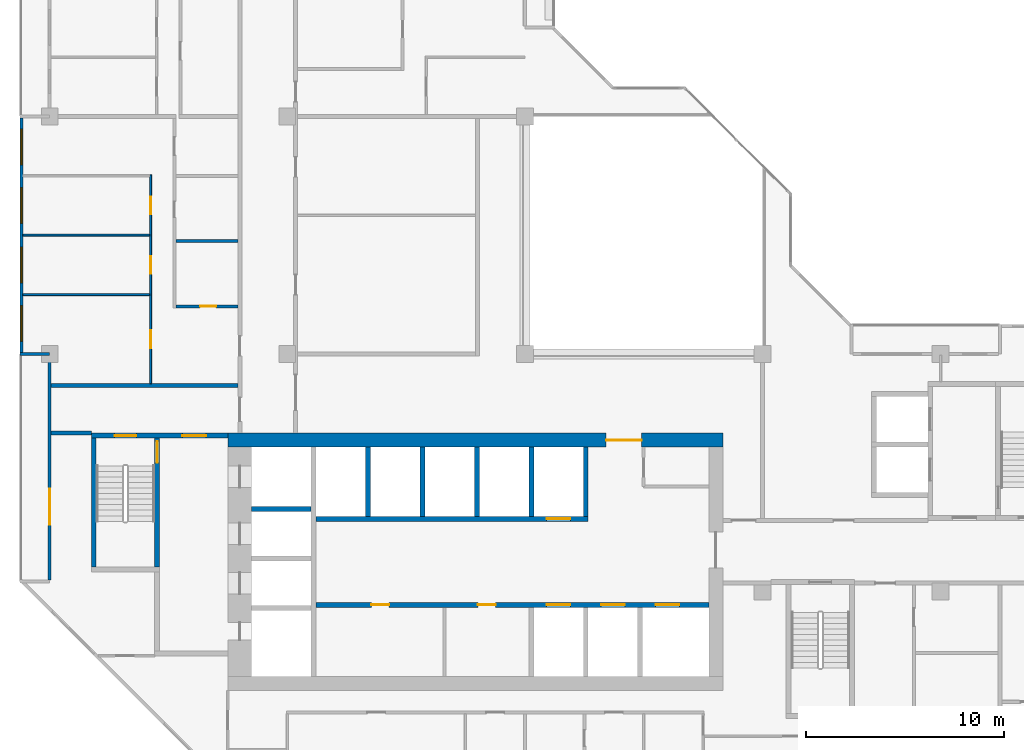
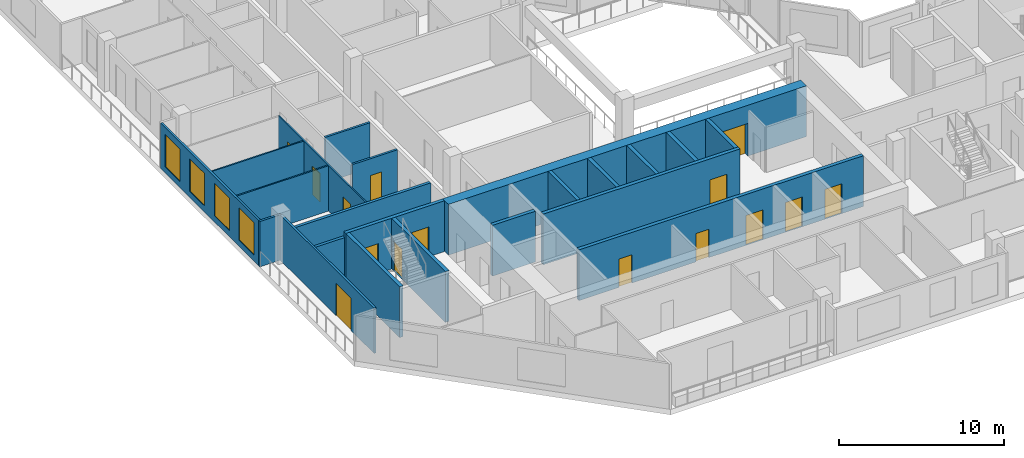
# One storey, part 5 of 15: 22 walls, 15 doors, 4 windows, 19 openings.
"""IFC4 building model written with IfcOpenShell, lengths in metres."""

from ifc_helpers import new_model, si_unit, direction, frame, frame_2d, origin, place, context, subcontext, project, spatial, rectangle, extrude, material, layer, layer_set, type_object, element, fill, save


model = new_model("IFC4")

# Units and contexts
model_context = context("Model", 3, precision=1e-05, world=origin(), true_north=direction((0.0, 1.0)))
body_context = subcontext(model_context, "Body", "Model", "MODEL_VIEW")
ifc_project = project(units=[si_unit("LENGTHUNIT", "METRE"), si_unit("AREAUNIT", "SQUARE_METRE"), si_unit("VOLUMEUNIT", "CUBIC_METRE"), si_unit("PLANEANGLEUNIT", "RADIAN"), si_unit("MASSUNIT", "GRAM", prefix="KILO")], contexts=[model_context])

# Site, building, storey
site_placement = place(None, origin())
site = spatial("IfcSite", under=ifc_project, at=site_placement, CompositionType="ELEMENT")
building_placement = place(site_placement, origin())
building = spatial("IfcBuilding", under=site, at=building_placement, Name="Chenar Terraces", CompositionType="ELEMENT")
storey_placement = place(building_placement, frame((0.0, 0.0, 249.14990234375)))
storey = spatial("IfcBuildingStorey", under=building, at=storey_placement, Name="L59", CompositionType="ELEMENT", Elevation=249.14990234375)

# Wall, openings, doors
ifc_material_1 = material(Name="Concrete C60/75", Category="concrete")
ifc_layer_1 = layer(ifc_material_1, 0.25)
ifc_layer_set_1 = layer_set([ifc_layer_1], Name="Concrete C60/75")
wall_type_1 = type_object("IfcWallType", Name="Core wall 250 Concrete C60/75", PredefinedType="SHEAR", material=ifc_layer_set_1)
wall_1_placement = place(storey_placement, frame((13.449951171875, 11.324951171875, 0.0), z_axis=(0.0, 0.0, 1.0), x_axis=(1.0, 0.0, 0.0)))
wall_1 = element("IfcWall", 1, at=wall_1_placement, inside=storey, type_object=wall_type_1, Name="Core wall SF L59", PredefinedType="SHEAR", context=body_context, shape_type="SweptSolid", body=[
    extrude(rectangle(XDim=19.85009765625, YDim=0.25, at=frame_2d((9.925048828125, 0.0))), origin(), (0.0, 0.0, 1.0), 3.75),
])
opening_1_placement = place(wall_1_placement, frame((11.64990234375, 0.0, 0.0)))
opening_1 = element("IfcOpeningElement", 2, at=opening_1_placement, cuts=wall_1, Name="Opening DL59-LD1", PredefinedType="OPENING", context=body_context, shape_type="SweptSolid", body=[
    extrude(rectangle(XDim=1.199951171875, YDim=2.199951171875, at=frame_2d((0.60009765625, 1.10009765625))), frame((0.0, 0.135009765625, 0.0), z_axis=(0.0, -1.0, 0.0), x_axis=(1.0, 0.0, 0.0)), (0.0, 0.0, 1.0), 0.27001953125),
])
opening_2_placement = place(wall_1_placement, frame((14.39990234375, 0.0, 0.0)))
opening_2 = element("IfcOpeningElement", 3, at=opening_2_placement, cuts=wall_1, Name="Opening DL59-LD2", PredefinedType="OPENING", context=body_context, shape_type="SweptSolid", body=[
    extrude(rectangle(XDim=1.199951171875, YDim=2.199951171875, at=frame_2d((0.60009765625, 1.10009765625))), frame((0.0, 0.135009765625, 0.0), z_axis=(0.0, -1.0, 0.0), x_axis=(1.0, 0.0, 0.0)), (0.0, 0.0, 1.0), 0.27001953125),
])
opening_3_placement = place(wall_1_placement, frame((17.14990234375, 0.0, 0.0)))
opening_3 = element("IfcOpeningElement", 4, at=opening_3_placement, cuts=wall_1, Name="Opening DL59-LD3", PredefinedType="OPENING", context=body_context, shape_type="SweptSolid", body=[
    extrude(rectangle(XDim=1.199951171875, YDim=2.199951171875, at=frame_2d((0.60009765625, 1.10009765625))), frame((0.0, 0.135009765625, 0.0), z_axis=(0.0, -1.0, 0.0), x_axis=(1.0, 0.0, 0.0)), (0.0, 0.0, 1.0), 0.27001953125),
])
opening_4_placement = place(wall_1_placement, frame((2.800048828125, 0.0, 0.0)))
opening_4 = element("IfcOpeningElement", 5, at=opening_4_placement, cuts=wall_1, Name="Opening DL59-C12", PredefinedType="OPENING", context=body_context, shape_type="SweptSolid", body=[
    extrude(rectangle(XDim=0.89990234375, YDim=2.10009765625, at=frame_2d((0.449951171875, 1.050048828125))), frame((0.0, 0.135009765625, 0.0), z_axis=(0.0, -1.0, 0.0), x_axis=(1.0, 0.0, 0.0)), (0.0, 0.0, 1.0), 0.27001953125),
])
opening_5_placement = place(wall_1_placement, frame((8.175048828125, 0.0, 0.0)))
opening_5 = element("IfcOpeningElement", 6, at=opening_5_placement, cuts=wall_1, Name="Opening DL59-C13", PredefinedType="OPENING", context=body_context, shape_type="SweptSolid", body=[
    extrude(rectangle(XDim=0.89990234375, YDim=2.10009765625, at=frame_2d((0.449951171875, 1.050048828125))), frame((0.0, 0.135009765625, 0.0), z_axis=(0.0, -1.0, 0.0), x_axis=(1.0, 0.0, 0.0)), (0.0, 0.0, 1.0), 0.27001953125),
])
ifc_material_2 = material(Name="Stainless steel", Category="steel")
door_type_1 = type_object("IfcDoorType", Name="Lift landing door 1200 x 2200 sliding", OperationType="DOUBLE_DOOR_SLIDING", PredefinedType="DOOR", material=ifc_material_2)
door_1_placement = place(opening_1_placement, origin())
door_1 = element("IfcDoor", 7, at=door_1_placement, inside=storey, type_object=door_type_1, Name="Landing door M1", OperationType="DOUBLE_DOOR_SLIDING", OverallHeight=2.199951171875, OverallWidth=1.199951171875, PredefinedType="DOOR", context=body_context, shape_type="SweptSolid", body=[
    extrude(rectangle(XDim=1.199951171875, YDim=2.199951171875, at=frame_2d((0.60009765625, 1.10009765625))), frame((0.0, 0.02490234375, 0.0), z_axis=(0.0, -1.0, 0.0), x_axis=(1.0, 0.0, 0.0)), (0.0, 0.0, 1.0), 0.050048828125),
])
fill(opening_1, door_1)
door_2_placement = place(opening_2_placement, origin())
door_2 = element("IfcDoor", 8, at=door_2_placement, inside=storey, type_object=door_type_1, Name="Landing door M2", OperationType="DOUBLE_DOOR_SLIDING", OverallHeight=2.199951171875, OverallWidth=1.199951171875, PredefinedType="DOOR", context=body_context, shape_type="SweptSolid", body=[
    extrude(rectangle(XDim=1.199951171875, YDim=2.199951171875, at=frame_2d((0.60009765625, 1.10009765625))), frame((0.0, 0.02490234375, 0.0), z_axis=(0.0, -1.0, 0.0), x_axis=(1.0, 0.0, 0.0)), (0.0, 0.0, 1.0), 0.050048828125),
])
fill(opening_2, door_2)
door_3_placement = place(opening_3_placement, origin())
door_3 = element("IfcDoor", 9, at=door_3_placement, inside=storey, type_object=door_type_1, Name="Landing door M3", OperationType="DOUBLE_DOOR_SLIDING", OverallHeight=2.199951171875, OverallWidth=1.199951171875, PredefinedType="DOOR", context=body_context, shape_type="SweptSolid", body=[
    extrude(rectangle(XDim=1.199951171875, YDim=2.199951171875, at=frame_2d((0.60009765625, 1.10009765625))), frame((0.0, 0.02490234375, 0.0), z_axis=(0.0, -1.0, 0.0), x_axis=(1.0, 0.0, 0.0)), (0.0, 0.0, 1.0), 0.050048828125),
])
fill(opening_3, door_3)
ifc_material_3 = material(Name="Steel-framed fire-resisting door leaf", Category="steel")
door_type_2 = type_object("IfcDoorType", Name="Riser fire door FD60 900 x 2100", OperationType="SINGLE_SWING_LEFT", PredefinedType="DOOR", material=ifc_material_3)
door_4_placement = place(opening_4_placement, frame((0.89990234375, 0.0, 0.0), z_axis=(0.0, 0.0, 1.0), x_axis=(-1.0, 0.0, 0.0)))
door_4 = element("IfcDoor", 10, at=door_4_placement, inside=storey, type_object=door_type_2, Name="Core room door DL59-C12", OperationType="SINGLE_SWING_LEFT", OverallHeight=2.10009765625, OverallWidth=0.89990234375, PredefinedType="DOOR", context=body_context, shape_type="SweptSolid", body=[
    extrude(rectangle(XDim=0.89990234375, YDim=2.10009765625, at=frame_2d((0.449951171875, 1.050048828125))), frame((0.0, 0.02490234375, 0.0), z_axis=(0.0, -1.0, 0.0), x_axis=(1.0, 0.0, 0.0)), (0.0, 0.0, 1.0), 0.050048828125),
])
fill(opening_4, door_4)
door_5_placement = place(opening_5_placement, frame((0.89990234375, 0.0, 0.0), z_axis=(0.0, 0.0, 1.0), x_axis=(-1.0, 0.0, 0.0)))
door_5 = element("IfcDoor", 11, at=door_5_placement, inside=storey, type_object=door_type_2, Name="Core room door DL59-C13", OperationType="SINGLE_SWING_LEFT", OverallHeight=2.10009765625, OverallWidth=0.89990234375, PredefinedType="DOOR", context=body_context, shape_type="SweptSolid", body=[
    extrude(rectangle(XDim=0.89990234375, YDim=2.10009765625, at=frame_2d((0.449951171875, 1.050048828125))), frame((0.0, 0.02490234375, 0.0), z_axis=(0.0, -1.0, 0.0), x_axis=(1.0, 0.0, 0.0)), (0.0, 0.0, 1.0), 0.050048828125),
])
fill(opening_5, door_5)

# Wall, opening, door
wall_2_placement = place(storey_placement, frame((13.449951171875, 15.675048828125, 0.0), z_axis=(0.0, 0.0, 1.0), x_axis=(1.0, 0.0, 0.0)))
wall_2 = element("IfcWall", 12, at=wall_2_placement, inside=storey, type_object=wall_type_1, Name="Core wall NF L59", PredefinedType="SHEAR", context=body_context, shape_type="SweptSolid", body=[
    extrude(rectangle(XDim=13.75, YDim=0.25, at=frame_2d((6.875, 0.0))), origin(), (0.0, 0.0, 1.0), 3.75),
])
opening_6_placement = place(wall_2_placement, frame((11.64990234375, 0.0, 0.0)))
opening_6 = element("IfcOpeningElement", 13, at=opening_6_placement, cuts=wall_2, Name="Opening DL59-LD4", PredefinedType="OPENING", context=body_context, shape_type="SweptSolid", body=[
    extrude(rectangle(XDim=1.199951171875, YDim=2.199951171875, at=frame_2d((0.60009765625, 1.10009765625))), frame((0.0, 0.135009765625, 0.0), z_axis=(0.0, -1.0, 0.0), x_axis=(1.0, 0.0, 0.0)), (0.0, 0.0, 1.0), 0.27001953125),
])
door_6_placement = place(opening_6_placement, origin())
door_6 = element("IfcDoor", 14, at=door_6_placement, inside=storey, type_object=door_type_1, Name="Landing door M4", OperationType="DOUBLE_DOOR_SLIDING", OverallHeight=2.199951171875, OverallWidth=1.199951171875, PredefinedType="DOOR", context=body_context, shape_type="SweptSolid", body=[
    extrude(rectangle(XDim=1.199951171875, YDim=2.199951171875, at=frame_2d((0.60009765625, 1.10009765625))), frame((0.0, 0.02490234375, 0.0), z_axis=(0.0, -1.0, 0.0), x_axis=(1.0, 0.0, 0.0)), (0.0, 0.0, 1.0), 0.050048828125),
])
fill(opening_6, door_6)

# Walls
wall_3_placement = place(storey_placement, frame((10.199951171875, 16.175048828125, 0.0), z_axis=(0.0, 0.0, 1.0), x_axis=(1.0, 0.0, 0.0)))
element("IfcWall", 15, at=wall_3_placement, inside=storey, type_object=wall_type_1, Name="Core wall HW2 L59", PredefinedType="SHEAR", context=body_context, shape_type="SweptSolid", body=[
    extrude(rectangle(XDim=3.0, YDim=0.25, at=frame_2d((1.5, 0.0))), origin(), (0.0, 0.0, 1.0), 3.75),
])
for number, where, z_axis, x_axis, name in (
    (16, (16.074951171875, 15.800048828125, 0.0), (0.0, 0.0, 1.0), (0.0, 1.0, 0.0), "Core wall NS0 L59"),
    (17, (18.824951171875, 15.800048828125, 0.0), (0.0, 0.0, 1.0), (0.0, 1.0, 0.0), "Core wall NS1 L59"),
    (18, (21.574951171875, 15.800048828125, 0.0), (0.0, 0.0, 1.0), (0.0, 1.0, 0.0), "Core wall NS2 L59"),
    (19, (24.324951171875, 15.800048828125, 0.0), (0.0, 0.0, 1.0), (0.0, 1.0, 0.0), "Core wall NS3 L59"),
    (20, (27.074951171875, 15.800048828125, 0.0), (0.0, 0.0, 1.0), (0.0, 1.0, 0.0), "Core wall NE L59"),
):
    element("IfcWall", number, at=place(storey_placement, frame(where, z_axis=z_axis, x_axis=x_axis)), inside=storey, type_object=wall_type_1, Name=name, PredefinedType="SHEAR", context=body_context, shape_type="SweptSolid", body=[
        extrude(rectangle(XDim=3.5, YDim=0.25, at=frame_2d((1.75, 0.0))), origin(), (0.0, 0.0, 1.0), 3.75),
    ])

# Wall, openings, doors
wall_4_placement = place(storey_placement, frame((2.10009765625, 19.875, 0.0), z_axis=(0.0, 0.0, 1.0), x_axis=(1.0, 0.0, 0.0)))
wall_4 = element("IfcWall", 21, at=wall_4_placement, inside=storey, type_object=wall_type_1, Name="Core wall A_N L59", PredefinedType="SHEAR", context=body_context, shape_type="SweptSolid", body=[
    extrude(rectangle(XDim=6.89990234375, YDim=0.25, at=frame_2d((3.449951171875, 0.0))), origin(), (0.0, 0.0, 1.0), 3.75),
])
opening_7_placement = place(wall_4_placement, frame((1.175048828125, 0.0, 0.0)))
opening_7 = element("IfcOpeningElement", 22, at=opening_7_placement, cuts=wall_4, Name="Opening DL59-C5", PredefinedType="OPENING", context=body_context, shape_type="SweptSolid", body=[
    extrude(rectangle(XDim=1.10009765625, YDim=2.199951171875, at=frame_2d((0.550048828125, 1.10009765625))), frame((0.0, 0.135009765625, 0.0), z_axis=(0.0, -1.0, 0.0), x_axis=(1.0, 0.0, 0.0)), (0.0, 0.0, 1.0), 0.27001953125),
])
opening_8_placement = place(wall_4_placement, frame((4.60009765625, 0.0, 0.0)))
opening_8 = element("IfcOpeningElement", 23, at=opening_8_placement, cuts=wall_4, Name="Opening DL59-C6", PredefinedType="OPENING", context=body_context, shape_type="SweptSolid", body=[
    extrude(rectangle(XDim=1.199951171875, YDim=2.199951171875, at=frame_2d((0.60009765625, 1.10009765625))), frame((0.0, 0.135009765625, 0.0), z_axis=(0.0, -1.0, 0.0), x_axis=(1.0, 0.0, 0.0)), (0.0, 0.0, 1.0), 0.27001953125),
])
ifc_material_4 = material(Name="Steel-framed fire-resisting door leaf", Category="steel")
door_type_3 = type_object("IfcDoorType", Name="Lobby fire door FD60 1200 x 2200", OperationType="SINGLE_SWING_LEFT", PredefinedType="DOOR", material=ifc_material_4)
door_7_placement = place(opening_8_placement, frame((1.199951171875, 0.0, 0.0), z_axis=(0.0, 0.0, 1.0), x_axis=(-1.0, 0.0, 0.0)))
door_7 = element("IfcDoor", 24, at=door_7_placement, inside=storey, type_object=door_type_3, Name="Core door DL59-C6", OperationType="SINGLE_SWING_LEFT", OverallHeight=2.199951171875, OverallWidth=1.199951171875, PredefinedType="DOOR", context=body_context, shape_type="SweptSolid", body=[
    extrude(rectangle(XDim=1.199951171875, YDim=2.199951171875, at=frame_2d((0.60009765625, 1.10009765625))), frame((0.0, 0.02490234375, 0.0), z_axis=(0.0, -1.0, 0.0), x_axis=(1.0, 0.0, 0.0)), (0.0, 0.0, 1.0), 0.050048828125),
])
fill(opening_8, door_7)
ifc_material_5 = material(Name="Steel-framed fire-resisting door leaf", Category="steel")
door_type_4 = type_object("IfcDoorType", Name="Stair fire door FD60 1100 x 2200", OperationType="SINGLE_SWING_LEFT", PredefinedType="DOOR", material=ifc_material_5)
door_8_placement = place(opening_7_placement, origin())
door_8 = element("IfcDoor", 25, at=door_8_placement, inside=storey, type_object=door_type_4, Name="Stair door DL59-C5", OperationType="SINGLE_SWING_LEFT", OverallHeight=2.199951171875, OverallWidth=1.10009765625, PredefinedType="DOOR", context=body_context, shape_type="SweptSolid", body=[
    extrude(rectangle(XDim=1.10009765625, YDim=2.199951171875, at=frame_2d((0.550048828125, 1.10009765625))), frame((0.0, 0.02490234375, 0.0), z_axis=(0.0, -1.0, 0.0), x_axis=(1.0, 0.0, 0.0)), (0.0, 0.0, 1.0), 0.050048828125),
])
fill(opening_7, door_8)

# Wall
wall_5_placement = place(storey_placement, frame((2.22509765625, 13.25, 0.0), z_axis=(0.0, 0.0, 1.0), x_axis=(0.0, 1.0, 0.0)))
element("IfcWall", 26, at=wall_5_placement, inside=storey, type_object=wall_type_1, Name="Core wall ST1_W L59", PredefinedType="SHEAR", context=body_context, shape_type="SweptSolid", body=[
    extrude(rectangle(XDim=6.5, YDim=0.25, at=frame_2d((3.25, 0.0))), origin(), (0.0, 0.0, 1.0), 3.75),
])

# Wall, opening, door
wall_6_placement = place(storey_placement, frame((5.425048828125, 13.25, 0.0), z_axis=(0.0, 0.0, 1.0), x_axis=(0.0, 1.0, 0.0)))
wall_6 = element("IfcWall", 27, at=wall_6_placement, inside=storey, type_object=wall_type_1, Name="Core wall ST1_E L59", PredefinedType="SHEAR", context=body_context, shape_type="SweptSolid", body=[
    extrude(rectangle(XDim=6.5, YDim=0.25, at=frame_2d((3.25, 0.0))), origin(), (0.0, 0.0, 1.0), 3.75),
])
opening_9_placement = place(wall_6_placement, frame((5.25, 0.0, 0.0)))
opening_9 = element("IfcOpeningElement", 28, at=opening_9_placement, cuts=wall_6, Name="Opening DL59-C3", PredefinedType="OPENING", context=body_context, shape_type="SweptSolid", body=[
    extrude(rectangle(XDim=1.10009765625, YDim=2.199951171875, at=frame_2d((0.550048828125, 1.10009765625))), frame((0.0, 0.135009765625, 0.0), z_axis=(0.0, -1.0, 0.0), x_axis=(1.0, 0.0, 0.0)), (0.0, 0.0, 1.0), 0.27001953125),
])
door_9_placement = place(opening_9_placement, origin())
door_9 = element("IfcDoor", 29, at=door_9_placement, inside=storey, type_object=door_type_4, Name="Stair door DL59-C3", OperationType="SINGLE_SWING_RIGHT", OverallHeight=2.199951171875, OverallWidth=1.10009765625, PredefinedType="DOOR", context=body_context, shape_type="SweptSolid", body=[
    extrude(rectangle(XDim=1.10009765625, YDim=2.199951171875, at=frame_2d((0.550048828125, 1.10009765625))), frame((0.0, 0.02490234375, 0.0), z_axis=(0.0, -1.0, 0.0), x_axis=(1.0, 0.0, 0.0)), (0.0, 0.0, 1.0), 0.050048828125),
])
fill(opening_9, door_9)

ifc_material_6 = material(Name="Concrete C60/75", Category="concrete")
ifc_layer_2 = layer(ifc_material_6, 0.699951171875)
ifc_layer_set_2 = layer_set([ifc_layer_2], Name="Concrete C60/75")
wall_type_2 = type_object("IfcWallType", Name="Core wall 700 Concrete C60/75", PredefinedType="SHEAR", material=ifc_layer_set_2)
wall_7_placement = place(storey_placement, frame((9.0, 19.64990234375, 0.0), z_axis=(0.0, 0.0, 1.0), x_axis=(1.0, 0.0, 0.0)))
wall_7 = element("IfcWall", 30, at=wall_7_placement, inside=storey, type_object=wall_type_2, Name="Core wall N L59", PredefinedType="SHEAR", context=body_context, shape_type="SweptSolid", body=[
    extrude(rectangle(XDim=25.0, YDim=0.699951171875, at=frame_2d((12.5, 0.0))), origin(), (0.0, 0.0, 1.0), 3.75),
])
opening_10_placement = place(wall_7_placement, frame((19.10009765625, 0.0, 0.0)))
opening_10 = element("IfcOpeningElement", 31, at=opening_10_placement, cuts=wall_7, Name="Opening DL59-C2", PredefinedType="OPENING", context=body_context, shape_type="SweptSolid", body=[
    extrude(rectangle(XDim=1.800048828125, YDim=2.39990234375, at=frame_2d((0.89990234375, 1.199951171875))), frame((0.0, 0.35986328125, 0.0), z_axis=(0.0, -1.0, 0.0), x_axis=(1.0, 0.0, 0.0)), (0.0, 0.0, 1.0), 0.719970703125),
])
ifc_material_7 = material(Name="Steel-framed fire-resisting door leaf", Category="steel")
door_type_5 = type_object("IfcDoorType", Name="Core entrance double fire door FD60 1800 x 2400", OperationType="DOUBLE_DOOR_SINGLE_SWING", PredefinedType="DOOR", material=ifc_material_7)
door_10_placement = place(opening_10_placement, frame((1.800048828125, 0.0, 0.0), z_axis=(0.0, 0.0, 1.0), x_axis=(-1.0, 0.0, 0.0)))
door_10 = element("IfcDoor", 32, at=door_10_placement, inside=storey, type_object=door_type_5, Name="Core door DL59-C2", OperationType="DOUBLE_DOOR_SINGLE_SWING", OverallHeight=2.39990234375, OverallWidth=1.800048828125, PredefinedType="DOOR", context=body_context, shape_type="SweptSolid", body=[
    extrude(rectangle(XDim=1.800048828125, YDim=2.39990234375, at=frame_2d((0.89990234375, 1.199951171875))), frame((0.0, 0.02490234375, 0.0), z_axis=(0.0, -1.0, 0.0), x_axis=(1.0, 0.0, 0.0)), (0.0, 0.0, 1.0), 0.050048828125),
])
fill(opening_10, door_10)

# Walls
ifc_material_8 = material(Name="Gypsum board on steel studs with fire boards", Category="steel")
ifc_layer_3 = layer(ifc_material_8, 0.199951171875)
ifc_layer_set_3 = layer_set([ifc_layer_3], Name="Gypsum board on steel studs with fire boards")
wall_type_3 = type_object("IfcWallType", Name="Corridor wall 200", PredefinedType="PARTITIONING", material=ifc_layer_set_3)
wall_8_placement = place(storey_placement, frame((0.073974609375, 20.0, 0.0), z_axis=(0.0, 0.0, 1.0), x_axis=(1.0, 0.0, 0.0)))
element("IfcWall", 33, at=wall_8_placement, inside=storey, type_object=wall_type_3, Name="Partition L59-008", PredefinedType="PARTITIONING", context=body_context, shape_type="SweptSolid", body=[
    extrude(rectangle(XDim=2.026123046875, YDim=0.199951171875, at=frame_2d((1.01318359375, 0.0))), origin(), (0.0, 0.0, 1.0), 3.35009765625),
])
wall_9_placement = place(storey_placement, frame((0.073974609375, 22.39990234375, 0.0), z_axis=(0.0, 0.0, 1.0), x_axis=(1.0, 0.0, 0.0)))
element("IfcWall", 34, at=wall_9_placement, inside=storey, type_object=wall_type_3, Name="Partition L59-009", PredefinedType="PARTITIONING", context=body_context, shape_type="SweptSolid", body=[
    extrude(rectangle(XDim=9.426025390625, YDim=0.199951171875, at=frame_2d((4.712890625, 0.0))), origin(), (0.0, 0.0, 1.0), 3.35009765625),
])

# Wall, openings, windows
ifc_material_9 = material(Name="Aluminium framed glazing", Category="aluminium")
ifc_layer_4 = layer(ifc_material_9, 0.14990234375)
ifc_layer_set_4 = layer_set([ifc_layer_4], Name="Aluminium framed glazing")
wall_type_4 = type_object("IfcWallType", Name="Glazed flush facade wall 150", PredefinedType="SOLIDWALL", material=ifc_layer_set_4)
wall_10_placement = place(storey_placement, frame((-1.425048828125, 35.925048828125, 0.0), z_axis=(0.0, 0.0, 1.0), x_axis=(0.0, -1.0, 0.0)))
wall_10 = element("IfcWall", 35, at=wall_10_placement, inside=storey, type_object=wall_type_4, Name="Glazed flush facade wall", PredefinedType="SOLIDWALL", context=body_context, shape_type="SweptSolid", body=[
    extrude(rectangle(XDim=11.85009765625, YDim=0.14990234375, at=frame_2d((5.925048828125, 0.0))), origin(), (0.0, 0.0, 1.0), 3.35009765625),
])
opening_11_placement = place(wall_10_placement, frame((0.5625, 0.0, 0.449951171875)))
opening_11 = element("IfcOpeningElement", 36, at=opening_11_placement, cuts=wall_10, Name="Opening W180x240", PredefinedType="OPENING", context=body_context, shape_type="SweptSolid", body=[
    extrude(rectangle(XDim=1.800048828125, YDim=2.39990234375, at=frame_2d((0.89990234375, 1.199951171875))), frame((0.0, 0.0849609375, 0.0), z_axis=(0.0, -1.0, 0.0), x_axis=(1.0, 0.0, 0.0)), (0.0, 0.0, 1.0), 0.169921875),
])
opening_12_placement = place(wall_10_placement, frame((3.52490234375, 0.0, 0.449951171875)))
opening_12 = element("IfcOpeningElement", 37, at=opening_12_placement, cuts=wall_10, Name="Opening W180x240", PredefinedType="OPENING", context=body_context, shape_type="SweptSolid", body=[
    extrude(rectangle(XDim=1.800048828125, YDim=2.39990234375, at=frame_2d((0.89990234375, 1.199951171875))), frame((0.0, 0.0849609375, 0.0), z_axis=(0.0, -1.0, 0.0), x_axis=(1.0, 0.0, 0.0)), (0.0, 0.0, 1.0), 0.169921875),
])
opening_13_placement = place(wall_10_placement, frame((6.52490234375, 0.0, 0.449951171875)))
opening_13 = element("IfcOpeningElement", 38, at=opening_13_placement, cuts=wall_10, Name="Opening W180x240", PredefinedType="OPENING", context=body_context, shape_type="SweptSolid", body=[
    extrude(rectangle(XDim=1.800048828125, YDim=2.39990234375, at=frame_2d((0.89990234375, 1.199951171875))), frame((0.0, 0.0849609375, 0.0), z_axis=(0.0, -1.0, 0.0), x_axis=(1.0, 0.0, 0.0)), (0.0, 0.0, 1.0), 0.169921875),
])
opening_14_placement = place(wall_10_placement, frame((9.487548828125, 0.0, 0.449951171875)))
opening_14 = element("IfcOpeningElement", 39, at=opening_14_placement, cuts=wall_10, Name="Opening W180x240", PredefinedType="OPENING", context=body_context, shape_type="SweptSolid", body=[
    extrude(rectangle(XDim=1.800048828125, YDim=2.39990234375, at=frame_2d((0.89990234375, 1.199951171875))), frame((0.0, 0.0849609375, 0.0), z_axis=(0.0, -1.0, 0.0), x_axis=(1.0, 0.0, 0.0)), (0.0, 0.0, 1.0), 0.169921875),
])
ifc_material_10 = material(Name="Low emissivity double glazing, aluminium frame", Category="aluminium")
window_type = type_object("IfcWindowType", Name="Fixed light 1800 x 2400", PartitioningType="SINGLE_PANEL", PredefinedType="WINDOW", material=ifc_material_10)
window_1_placement = place(opening_11_placement, origin())
window_1 = element("IfcWindow", 40, at=window_1_placement, inside=storey, type_object=window_type, Name="Window", OverallHeight=2.39990234375, OverallWidth=1.800048828125, PartitioningType="SINGLE_PANEL", PredefinedType="WINDOW", context=body_context, shape_type="SweptSolid", body=[
    extrude(rectangle(XDim=1.800048828125, YDim=2.39990234375, at=frame_2d((0.89990234375, 1.199951171875))), frame((0.0, 0.030029296875, 0.0), z_axis=(0.0, -1.0, 0.0), x_axis=(1.0, 0.0, 0.0)), (0.0, 0.0, 1.0), 0.06005859375),
])
fill(opening_11, window_1)
window_2_placement = place(opening_12_placement, origin())
window_2 = element("IfcWindow", 41, at=window_2_placement, inside=storey, type_object=window_type, Name="Window", OverallHeight=2.39990234375, OverallWidth=1.800048828125, PartitioningType="SINGLE_PANEL", PredefinedType="WINDOW", context=body_context, shape_type="SweptSolid", body=[
    extrude(rectangle(XDim=1.800048828125, YDim=2.39990234375, at=frame_2d((0.89990234375, 1.199951171875))), frame((0.0, 0.030029296875, 0.0), z_axis=(0.0, -1.0, 0.0), x_axis=(1.0, 0.0, 0.0)), (0.0, 0.0, 1.0), 0.06005859375),
])
fill(opening_12, window_2)
window_3_placement = place(opening_13_placement, origin())
window_3 = element("IfcWindow", 42, at=window_3_placement, inside=storey, type_object=window_type, Name="Window", OverallHeight=2.39990234375, OverallWidth=1.800048828125, PartitioningType="SINGLE_PANEL", PredefinedType="WINDOW", context=body_context, shape_type="SweptSolid", body=[
    extrude(rectangle(XDim=1.800048828125, YDim=2.39990234375, at=frame_2d((0.89990234375, 1.199951171875))), frame((0.0, 0.030029296875, 0.0), z_axis=(0.0, -1.0, 0.0), x_axis=(1.0, 0.0, 0.0)), (0.0, 0.0, 1.0), 0.06005859375),
])
fill(opening_13, window_3)
window_4_placement = place(opening_14_placement, origin())
window_4 = element("IfcWindow", 43, at=window_4_placement, inside=storey, type_object=window_type, Name="Window", OverallHeight=2.39990234375, OverallWidth=1.800048828125, PartitioningType="SINGLE_PANEL", PredefinedType="WINDOW", context=body_context, shape_type="SweptSolid", body=[
    extrude(rectangle(XDim=1.800048828125, YDim=2.39990234375, at=frame_2d((0.89990234375, 1.199951171875))), frame((0.0, 0.030029296875, 0.0), z_axis=(0.0, -1.0, 0.0), x_axis=(1.0, 0.0, 0.0)), (0.0, 0.0, 1.0), 0.06005859375),
])
fill(opening_14, window_4)

# Wall, opening, door
ifc_material_11 = material(Name="Aluminium framed glazing", Category="aluminium")
ifc_layer_5 = layer(ifc_material_11, 0.14990234375)
ifc_layer_set_5 = layer_set([ifc_layer_5], Name="Aluminium framed glazing")
wall_type_5 = type_object("IfcWallType", Name="Glazed loggia back wall 150", PredefinedType="SOLIDWALL", material=ifc_layer_set_5)
wall_11_placement = place(storey_placement, frame((0.0, 23.925048828125, 0.0), z_axis=(0.0, 0.0, 1.0), x_axis=(0.0, -1.0, 0.0)))
wall_11 = element("IfcWall", 44, at=wall_11_placement, inside=storey, type_object=wall_type_5, Name="Glazed loggia back wall", PredefinedType="SOLIDWALL", context=body_context, shape_type="SweptSolid", body=[
    extrude(rectangle(XDim=11.35009765625, YDim=0.14990234375, at=frame_2d((5.675048828125, 0.0))), origin(), (0.0, 0.0, 1.0), 3.35009765625),
])
opening_15_placement = place(wall_11_placement, frame((6.737548828125, 0.0, 0.0)))
opening_15 = element("IfcOpeningElement", 45, at=opening_15_placement, cuts=wall_11, Name="Opening DL59-G4", PredefinedType="OPENING", context=body_context, shape_type="SweptSolid", body=[
    extrude(rectangle(XDim=1.800048828125, YDim=2.39990234375, at=frame_2d((0.89990234375, 1.199951171875))), frame((0.0, 0.0849609375, 0.0), z_axis=(0.0, -1.0, 0.0), x_axis=(1.0, 0.0, 0.0)), (0.0, 0.0, 1.0), 0.169921875),
])
ifc_material_12 = material(Name="Low emissivity double glazing, aluminium frame", Category="aluminium")
door_type_6 = type_object("IfcDoorType", Name="Loggia glazed double door 1800 x 2400", OperationType="DOUBLE_DOOR_SINGLE_SWING", PredefinedType="DOOR", material=ifc_material_12)
door_11_placement = place(opening_15_placement, frame((1.800048828125, 0.0, 0.0), z_axis=(0.0, 0.0, 1.0), x_axis=(-1.0, 0.0, 0.0)))
door_11 = element("IfcDoor", 46, at=door_11_placement, inside=storey, type_object=door_type_6, Name="Loggia glazed door", OperationType="DOUBLE_DOOR_SINGLE_SWING", OverallHeight=2.39990234375, OverallWidth=1.800048828125, PredefinedType="DOOR", context=body_context, shape_type="SweptSolid", body=[
    extrude(rectangle(XDim=1.800048828125, YDim=2.39990234375, at=frame_2d((0.89990234375, 1.199951171875))), frame((0.0, 0.02490234375, 0.0), z_axis=(0.0, -1.0, 0.0), x_axis=(1.0, 0.0, 0.0)), (0.0, 0.0, 1.0), 0.050048828125),
])
fill(opening_15, door_11)

# Walls
ifc_material_13 = material(Name="Gypsum board on steel studs", Category="steel")
ifc_layer_6 = layer(ifc_material_13, 0.10009765625)
ifc_layer_set_6 = layer_set([ifc_layer_6], Name="Gypsum board on steel studs")
wall_type_6 = type_object("IfcWallType", Name="Gypsum partition 100", PredefinedType="PARTITIONING", material=ifc_layer_set_6)
for number, where, z_axis, x_axis, name in (
    (47, (-1.35107421875, 27.0, 0.0), (0.0, 0.0, 1.0), (1.0, 0.0, 0.0), "Partition L59-001"),
    (48, (-1.35107421875, 30.0, 0.0), (0.0, 0.0, 1.0), (1.0, 0.0, 0.0), "Partition L59-002"),
):
    element("IfcWall", number, at=place(storey_placement, frame(where, z_axis=z_axis, x_axis=x_axis)), inside=storey, type_object=wall_type_6, Name=name, PredefinedType="PARTITIONING", context=body_context, shape_type="SweptSolid", body=[
        extrude(rectangle(XDim=6.401123046875, YDim=0.10009765625, at=frame_2d((3.20068359375, 0.0))), origin(), (0.0, 0.0, 1.0), 3.35009765625),
    ])

# Wall, openings, doors
wall_12_placement = place(storey_placement, frame((5.10009765625, 22.5, 0.0), z_axis=(0.0, 0.0, 1.0), x_axis=(0.0, 1.0, 0.0)))
wall_12 = element("IfcWall", 49, at=wall_12_placement, inside=storey, type_object=wall_type_6, Name="Partition L59-014", PredefinedType="PARTITIONING", context=body_context, shape_type="SweptSolid", body=[
    extrude(rectangle(XDim=10.550048828125, YDim=0.10009765625, at=frame_2d((5.27490234375, 0.0))), origin(), (0.0, 0.0, 1.0), 3.35009765625),
])
opening_16_placement = place(wall_12_placement, frame((1.800048828125, 0.0, 0.0)))
opening_16 = element("IfcOpeningElement", 50, at=opening_16_placement, cuts=wall_12, Name="Opening DL59-61", PredefinedType="OPENING", context=body_context, shape_type="SweptSolid", body=[
    extrude(rectangle(XDim=0.89990234375, YDim=2.10009765625, at=frame_2d((0.449951171875, 1.050048828125))), frame((0.0, 0.06005859375, 0.0), z_axis=(0.0, -1.0, 0.0), x_axis=(1.0, 0.0, 0.0)), (0.0, 0.0, 1.0), 0.1201171875),
])
opening_17_placement = place(wall_12_placement, frame((5.550048828125, 0.0, 0.0)))
opening_17 = element("IfcOpeningElement", 51, at=opening_17_placement, cuts=wall_12, Name="Opening DL59-62", PredefinedType="OPENING", context=body_context, shape_type="SweptSolid", body=[
    extrude(rectangle(XDim=0.89990234375, YDim=2.10009765625, at=frame_2d((0.449951171875, 1.050048828125))), frame((0.0, 0.06005859375, 0.0), z_axis=(0.0, -1.0, 0.0), x_axis=(1.0, 0.0, 0.0)), (0.0, 0.0, 1.0), 0.1201171875),
])
opening_18_placement = place(wall_12_placement, frame((8.550048828125, 0.0, 0.0)))
opening_18 = element("IfcOpeningElement", 52, at=opening_18_placement, cuts=wall_12, Name="Opening DL59-63", PredefinedType="OPENING", context=body_context, shape_type="SweptSolid", body=[
    extrude(rectangle(XDim=0.89990234375, YDim=2.10009765625, at=frame_2d((0.449951171875, 1.050048828125))), frame((0.0, 0.06005859375, 0.0), z_axis=(0.0, -1.0, 0.0), x_axis=(1.0, 0.0, 0.0)), (0.0, 0.0, 1.0), 0.1201171875),
])
ifc_material_14 = material(Name="Veneered timber door leaf", Category="wood")
door_type_7 = type_object("IfcDoorType", Name="Door 900 x 2100", OperationType="SINGLE_SWING_LEFT", PredefinedType="DOOR", material=ifc_material_14)
door_12_placement = place(opening_16_placement, origin())
door_12 = element("IfcDoor", 53, at=door_12_placement, inside=storey, type_object=door_type_7, Name="Door DL59-61", OperationType="SINGLE_SWING_RIGHT", OverallHeight=2.10009765625, OverallWidth=0.89990234375, PredefinedType="DOOR", context=body_context, shape_type="SweptSolid", body=[
    extrude(rectangle(XDim=0.89990234375, YDim=2.10009765625, at=frame_2d((0.449951171875, 1.050048828125))), frame((0.0, 0.02490234375, 0.0), z_axis=(0.0, -1.0, 0.0), x_axis=(1.0, 0.0, 0.0)), (0.0, 0.0, 1.0), 0.050048828125),
])
fill(opening_16, door_12)
door_13_placement = place(opening_17_placement, origin())
door_13 = element("IfcDoor", 54, at=door_13_placement, inside=storey, type_object=door_type_7, Name="Door DL59-62", OperationType="SINGLE_SWING_RIGHT", OverallHeight=2.10009765625, OverallWidth=0.89990234375, PredefinedType="DOOR", context=body_context, shape_type="SweptSolid", body=[
    extrude(rectangle(XDim=0.89990234375, YDim=2.10009765625, at=frame_2d((0.449951171875, 1.050048828125))), frame((0.0, 0.02490234375, 0.0), z_axis=(0.0, -1.0, 0.0), x_axis=(1.0, 0.0, 0.0)), (0.0, 0.0, 1.0), 0.050048828125),
])
fill(opening_17, door_13)
door_14_placement = place(opening_18_placement, origin())
door_14 = element("IfcDoor", 55, at=door_14_placement, inside=storey, type_object=door_type_7, Name="Door DL59-63", OperationType="SINGLE_SWING_RIGHT", OverallHeight=2.10009765625, OverallWidth=0.89990234375, PredefinedType="DOOR", context=body_context, shape_type="SweptSolid", body=[
    extrude(rectangle(XDim=0.89990234375, YDim=2.10009765625, at=frame_2d((0.449951171875, 1.050048828125))), frame((0.0, 0.02490234375, 0.0), z_axis=(0.0, -1.0, 0.0), x_axis=(1.0, 0.0, 0.0)), (0.0, 0.0, 1.0), 0.050048828125),
])
fill(opening_18, door_14)

# Wall
ifc_material_15 = material(Name="Terracotta cladding on insulated backing", Category="masonry")
ifc_layer_7 = layer(ifc_material_15, 0.14990234375)
ifc_layer_set_7 = layer_set([ifc_layer_7], Name="Terracotta cladding on insulated backing")
wall_type_7 = type_object("IfcWallType", Name="Loggia return wall 150", PredefinedType="SOLIDWALL", material=ifc_layer_set_7)
wall_13_placement = place(storey_placement, frame((-1.5, 24.0, 0.0), z_axis=(0.0, 0.0, 1.0), x_axis=(1.0, 0.0, 0.0)))
element("IfcWall", 56, at=wall_13_placement, inside=storey, type_object=wall_type_7, Name="Loggia return wall", PredefinedType="SOLIDWALL", context=body_context, shape_type="SweptSolid", body=[
    extrude(rectangle(XDim=1.5, YDim=0.14990234375, at=frame_2d((0.75, 0.0))), origin(), (0.0, 0.0, 1.0), 3.35009765625),
])

# Wall, opening, door
ifc_material_16 = material(Name="Moisture-resistant gypsum board on steel studs", Category="steel")
ifc_layer_8 = layer(ifc_material_16, 0.14990234375)
ifc_layer_set_8 = layer_set([ifc_layer_8], Name="Moisture-resistant gypsum board on steel studs")
wall_type_8 = type_object("IfcWallType", Name="Wet-room partition 150", PredefinedType="PARTITIONING", material=ifc_layer_set_8)
wall_14_placement = place(storey_placement, frame((6.375, 26.39990234375, 0.0), z_axis=(0.0, 0.0, 1.0), x_axis=(1.0, 0.0, 0.0)))
wall_14 = element("IfcWall", 57, at=wall_14_placement, inside=storey, type_object=wall_type_8, Name="Partition L59-018", PredefinedType="PARTITIONING", context=body_context, shape_type="SweptSolid", body=[
    extrude(rectangle(XDim=3.125, YDim=0.14990234375, at=frame_2d((1.5625, 0.0))), origin(), (0.0, 0.0, 1.0), 3.35009765625),
])
opening_19_placement = place(wall_14_placement, frame((1.22509765625, 0.0, 0.0)))
opening_19 = element("IfcOpeningElement", 58, at=opening_19_placement, cuts=wall_14, Name="Opening DL59-66", PredefinedType="OPENING", context=body_context, shape_type="SweptSolid", body=[
    extrude(rectangle(XDim=0.800048828125, YDim=2.10009765625, at=frame_2d((0.39990234375, 1.050048828125))), frame((0.0, 0.0849609375, 0.0), z_axis=(0.0, -1.0, 0.0), x_axis=(1.0, 0.0, 0.0)), (0.0, 0.0, 1.0), 0.169921875),
])
ifc_material_17 = material(Name="Veneered timber door leaf", Category="wood")
door_type_8 = type_object("IfcDoorType", Name="Door 800 x 2100", OperationType="SINGLE_SWING_LEFT", PredefinedType="DOOR", material=ifc_material_17)
door_15_placement = place(opening_19_placement, origin())
door_15 = element("IfcDoor", 59, at=door_15_placement, inside=storey, type_object=door_type_8, Name="Door DL59-66", OperationType="SINGLE_SWING_RIGHT", OverallHeight=2.10009765625, OverallWidth=0.800048828125, PredefinedType="DOOR", context=body_context, shape_type="SweptSolid", body=[
    extrude(rectangle(XDim=0.800048828125, YDim=2.10009765625, at=frame_2d((0.39990234375, 1.050048828125))), frame((0.0, 0.02490234375, 0.0), z_axis=(0.0, -1.0, 0.0), x_axis=(1.0, 0.0, 0.0)), (0.0, 0.0, 1.0), 0.050048828125),
])
fill(opening_19, door_15)

# Wall
wall_15_placement = place(storey_placement, frame((6.375, 29.699951171875, 0.0), z_axis=(0.0, 0.0, 1.0), x_axis=(1.0, 0.0, 0.0)))
element("IfcWall", 60, at=wall_15_placement, inside=storey, type_object=wall_type_8, Name="Partition L59-019", PredefinedType="PARTITIONING", context=body_context, shape_type="SweptSolid", body=[
    extrude(rectangle(XDim=3.125, YDim=0.14990234375, at=frame_2d((1.5625, 0.0))), origin(), (0.0, 0.0, 1.0), 3.35009765625),
])

save(model, "model.ifc")
